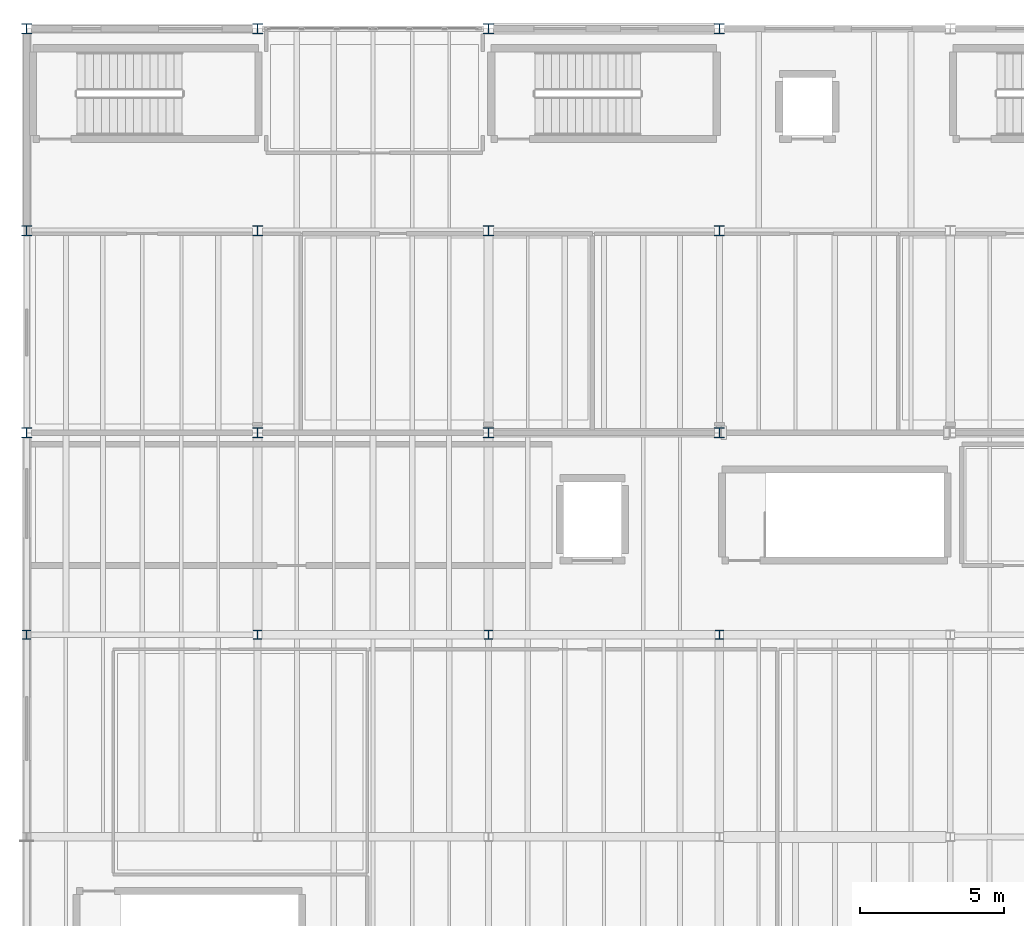
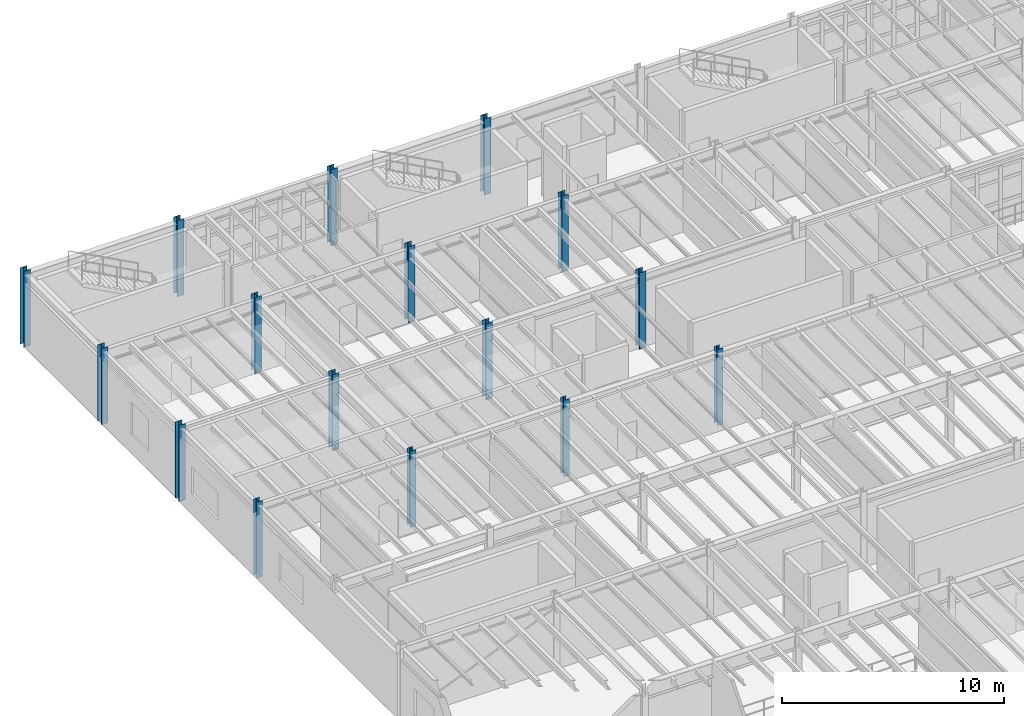
# One storey, part 3 of 78: 16 columns.
"""IFC4 building model written with IfcOpenShell, lengths in metres."""

from ifc_helpers import new_model, si_unit, direction, frame, origin, origin_2d, place, context, subcontext, project, spatial, i_section, extrude, material, material_profile, profile_set, type_object, element, save


model = new_model("IFC4")

# Units and contexts
model_context = context("Model", 3, precision=1e-05, world=origin(), true_north=direction((0.0, 1.0)))
body_context = subcontext(model_context, "Body", "Model", "MODEL_VIEW")
ifc_project = project(units=[si_unit("LENGTHUNIT", "METRE"), si_unit("AREAUNIT", "SQUARE_METRE"), si_unit("VOLUMEUNIT", "CUBIC_METRE"), si_unit("PLANEANGLEUNIT", "RADIAN"), si_unit("MASSUNIT", "GRAM", prefix="KILO"), si_unit("THERMODYNAMICTEMPERATUREUNIT", "KELVIN"), si_unit("POWERUNIT", "WATT")], contexts=[model_context])

# Site, building, storey
site_placement = place(None, origin())
site = spatial("IfcSite", under=ifc_project, at=site_placement, CompositionType="ELEMENT")
building_placement = place(site_placement, origin())
building = spatial("IfcBuilding", under=site, at=building_placement, Name="Zhenchuan Central Fire Station", CompositionType="ELEMENT")
storey_placement = place(building_placement, frame((0.0, 0.0, 5.85009765625)))
storey = spatial("IfcBuildingStorey", under=building, at=storey_placement, Name="L02", CompositionType="ELEMENT", Elevation=5.85009765625)

# Columns
ifc_material = material(Name="Steel Q355B", Category="steel")
ifc_material_profile_1 = material_profile(ifc_material, i_section(OverallWidth=0.300048828125, OverallDepth=0.300048828125, WebThickness=0.010009765625, FlangeThickness=0.014892578125, FilletRadius=0.01806640625, at=origin_2d()), Name="HW 300x300")
ifc_profile_set_1 = profile_set([ifc_material_profile_1], Name="Steel Q355B")
column_type_1 = type_object("IfcColumnType", Name="COL-HW300", PredefinedType="COLUMN", material=ifc_profile_set_1)
column_placement = place(storey_placement, frame((0.0, 35.5, 0.0), z_axis=(0.0, 0.0, 1.0), x_axis=(1.0, 0.0, 0.0)))
element("IfcColumn", 1, at=column_placement, inside=storey, type_object=column_type_1, Name="L02 Column 006", PredefinedType="COLUMN", context=body_context, shape_type="SweptSolid", body=[
    extrude(i_section(OverallWidth=0.300048828125, OverallDepth=0.300048828125, WebThickness=0.010009765625, FlangeThickness=0.014892578125, FilletRadius=0.01806640625, at=origin_2d()), origin(), (0.0, 0.0, 1.0), 4.199951171875),
])
ifc_material_profile_2 = material_profile(ifc_material, i_section(OverallWidth=0.300048828125, OverallDepth=0.300048828125, WebThickness=0.010009765625, FlangeThickness=0.014892578125, FilletRadius=0.01806640625, at=origin_2d()), Name="HW 300x300")
ifc_profile_set_2 = profile_set([ifc_material_profile_2], Name="Steel Q355B")
column_type_2 = type_object("IfcColumnType", Name="COL-HW300-INT", PredefinedType="COLUMN", material=ifc_profile_set_2)
for number, where, z_axis, x_axis, name in (
    (2, (8.0, 35.5, 0.0), (0.0, 0.0, 1.0), (1.0, 0.0, 0.0), "L02 Column 015"),
    (3, (16.0, 35.5, 0.0), (0.0, 0.0, 1.0), (1.0, 0.0, 0.0), "L02 Column 024"),
    (4, (24.0, 35.5, 0.0), (0.0, 0.0, 1.0), (1.0, 0.0, 0.0), "L02 Column 033"),
):
    element("IfcColumn", number, at=place(storey_placement, frame(where, z_axis=z_axis, x_axis=x_axis)), inside=storey, type_object=column_type_2, Name=name, PredefinedType="COLUMN", context=body_context, shape_type="SweptSolid", body=[
        extrude(i_section(OverallWidth=0.300048828125, OverallDepth=0.300048828125, WebThickness=0.010009765625, FlangeThickness=0.014892578125, FilletRadius=0.01806640625, at=origin_2d()), origin(), (0.0, 0.0, 1.0), 4.199951171875),
    ])
ifc_material_profile_3 = material_profile(ifc_material, i_section(OverallWidth=0.35009765625, OverallDepth=0.35009765625, WebThickness=0.011962890625, FlangeThickness=0.01904296875, FilletRadius=0.02001953125, at=origin_2d()), Name="HW 350x350")
ifc_profile_set_3 = profile_set([ifc_material_profile_3], Name="Steel Q355B")
column_type_3 = type_object("IfcColumnType", Name="COL-HW350", PredefinedType="COLUMN", material=ifc_profile_set_3)
for number, where, z_axis, x_axis, name in (
    (5, (0.0, 42.5, 0.0), (0.0, 0.0, 1.0), (1.0, 0.0, 0.0), "L02 Column 007"),
    (6, (0.0, 49.5, 0.0), (0.0, 0.0, 1.0), (1.0, 0.0, 0.0), "L02 Column 008"),
    (7, (0.0, 56.5, 0.0), (0.0, 0.0, 1.0), (1.0, 0.0, 0.0), "L02 Column 009"),
    (8, (8.0, 56.5, 0.0), (0.0, 0.0, 1.0), (1.0, 0.0, 0.0), "L02 Column 018"),
    (9, (16.0, 56.5, 0.0), (0.0, 0.0, 1.0), (1.0, 0.0, 0.0), "L02 Column 027"),
    (10, (24.0, 56.5, 0.0), (0.0, 0.0, 1.0), (1.0, 0.0, 0.0), "L02 Column 036"),
):
    element("IfcColumn", number, at=place(storey_placement, frame(where, z_axis=z_axis, x_axis=x_axis)), inside=storey, type_object=column_type_3, Name=name, PredefinedType="COLUMN", context=body_context, shape_type="SweptSolid", body=[
        extrude(i_section(OverallWidth=0.35009765625, OverallDepth=0.35009765625, WebThickness=0.011962890625, FlangeThickness=0.01904296875, FilletRadius=0.02001953125, at=origin_2d()), origin(), (0.0, 0.0, 1.0), 4.199951171875),
    ])
ifc_material_profile_4 = material_profile(ifc_material, i_section(OverallWidth=0.35009765625, OverallDepth=0.35009765625, WebThickness=0.011962890625, FlangeThickness=0.01904296875, FilletRadius=0.02001953125, at=origin_2d()), Name="HW 350x350")
ifc_profile_set_4 = profile_set([ifc_material_profile_4], Name="Steel Q355B")
column_type_4 = type_object("IfcColumnType", Name="COL-HW350-INT", PredefinedType="COLUMN", material=ifc_profile_set_4)
for number, where, z_axis, x_axis, name in (
    (11, (8.0, 42.5, 0.0), (0.0, 0.0, 1.0), (1.0, 0.0, 0.0), "L02 Column 016"),
    (12, (8.0, 49.5, 0.0), (0.0, 0.0, 1.0), (1.0, 0.0, 0.0), "L02 Column 017"),
    (13, (16.0, 42.5, 0.0), (0.0, 0.0, 1.0), (1.0, 0.0, 0.0), "L02 Column 025"),
    (14, (16.0, 49.5, 0.0), (0.0, 0.0, 1.0), (1.0, 0.0, 0.0), "L02 Column 026"),
    (15, (24.0, 42.5, 0.0), (0.0, 0.0, 1.0), (1.0, 0.0, 0.0), "L02 Column 034"),
    (16, (24.0, 49.5, 0.0), (0.0, 0.0, 1.0), (1.0, 0.0, 0.0), "L02 Column 035"),
):
    element("IfcColumn", number, at=place(storey_placement, frame(where, z_axis=z_axis, x_axis=x_axis)), inside=storey, type_object=column_type_4, Name=name, PredefinedType="COLUMN", context=body_context, shape_type="SweptSolid", body=[
        extrude(i_section(OverallWidth=0.35009765625, OverallDepth=0.35009765625, WebThickness=0.011962890625, FlangeThickness=0.01904296875, FilletRadius=0.02001953125, at=origin_2d()), origin(), (0.0, 0.0, 1.0), 4.199951171875),
    ])

save(model, "model.ifc")
